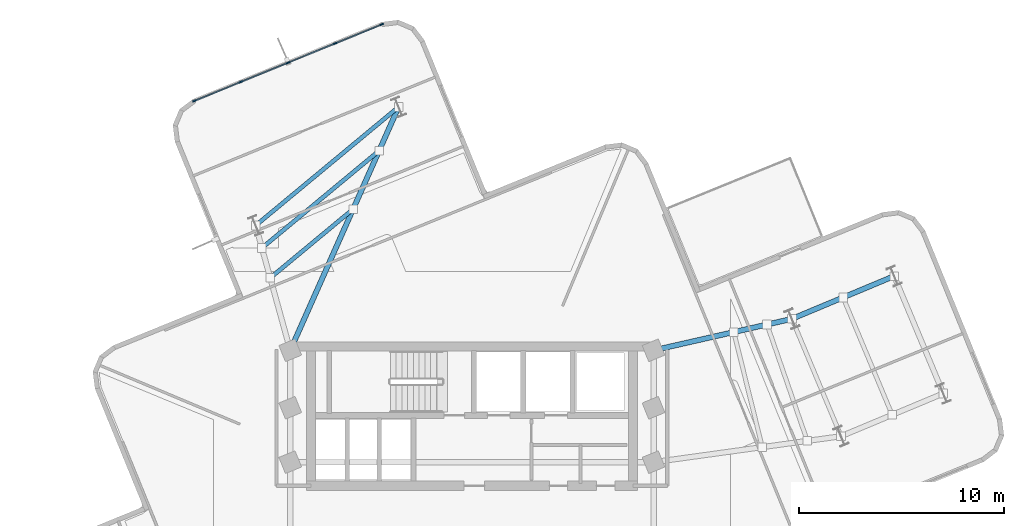
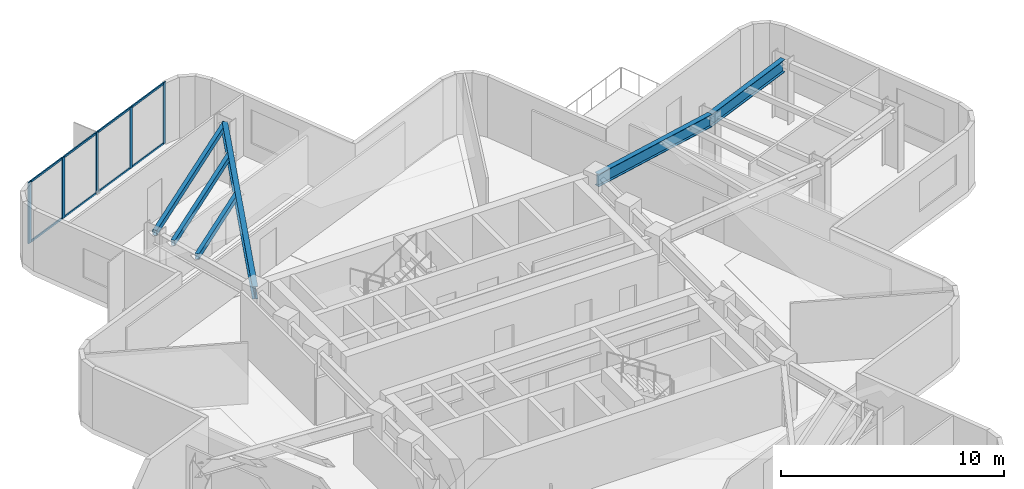
# One storey, part 4 of 11: 13 members, 6 beams, 1 element without a shape of its own.
"""IFC4 building model written with IfcOpenShell, lengths in metres."""

from ifc_helpers import new_model, si_unit, direction, frame, origin, origin_2d, place, context, subcontext, project, spatial, rectangle, hollow_rectangle, i_section, extrude, material, layer, layer_set, material_profile, profile_set, type_object, element, aggregate, save


model = new_model("IFC4")

# Units and contexts
model_context = context("Model", 3, precision=1e-05, world=origin(), true_north=direction((0.0, 1.0)))
body_context = subcontext(model_context, "Body", "Model", "MODEL_VIEW")
ifc_project = project(units=[si_unit("LENGTHUNIT", "METRE"), si_unit("AREAUNIT", "SQUARE_METRE"), si_unit("VOLUMEUNIT", "CUBIC_METRE"), si_unit("PLANEANGLEUNIT", "RADIAN"), si_unit("MASSUNIT", "GRAM", prefix="KILO")], contexts=[model_context])

# Site, building, storey
site_placement = place(None, origin())
site = spatial("IfcSite", under=ifc_project, at=site_placement, CompositionType="ELEMENT")
building_placement = place(site_placement, origin())
building = spatial("IfcBuilding", under=site, at=building_placement, Name="Solmarez Civic Tower", CompositionType="ELEMENT")
storey_placement = place(building_placement, frame((0.0, 0.0, 177.47998046875)))
storey = spatial("IfcBuildingStorey", under=building, at=storey_placement, Name="L47", CompositionType="ELEMENT", Elevation=177.47998046875)

# Beams
ifc_material_1 = material(Name="Steel S355", Category="steel")
ifc_material_profile_1 = material_profile(ifc_material_1, hollow_rectangle(XDim=0.199951171875, YDim=0.300048828125, WallThickness=0.011962890625, at=origin_2d()), Name="HSS300X200X12")
ifc_profile_set_1 = profile_set([ifc_material_profile_1], Name="Steel S355")
beam_type_1 = type_object("IfcBeamType", Name="BM-JS-HSS300X200", PredefinedType="JOIST", material=ifc_profile_set_1)
beam_1_placement = place(storey_placement, frame((-3.570068359375, 20.20703125, 3.18994140625), z_axis=(-0.769767664309, -0.638324167633, 0.0), x_axis=(0.638324167633, -0.769767664309, 0.0)))
element("IfcBeam", 1, at=beam_1_placement, inside=storey, type_object=beam_type_1, Name="L47 Secondary Floor Joist BM-L47-NA-T1", PredefinedType="JOIST", context=body_context, shape_type="SweptSolid", body=[
    extrude(hollow_rectangle(XDim=0.199951171875, YDim=0.300048828125, WallThickness=0.011962890625, at=origin_2d()), origin(), (0.0, 0.0, 1.0), 9.04541015625),
])
beam_2_placement = place(storey_placement, frame((-5.7880859375, 15.22705078125, 3.18994140625), z_axis=(-0.76969549019, -0.63841119381, 0.0), x_axis=(0.63841119381, -0.76969549019, 0.0)))
element("IfcBeam", 2, at=beam_2_placement, inside=storey, type_object=beam_type_1, Name="L47 Secondary Floor Joist JS-L47-NA-M11", PredefinedType="JOIST", context=body_context, shape_type="SweptSolid", body=[
    extrude(hollow_rectangle(XDim=0.199951171875, YDim=0.300048828125, WallThickness=0.011962890625, at=origin_2d()), origin(), (0.0, 0.0, 1.0), 5.24609375),
])
beam_3_placement = place(storey_placement, frame((-4.52001953125, 18.072998046875, 3.18994140625), z_axis=(-0.769756777075, -0.638337296535, 0.0), x_axis=(0.638337296535, -0.769756777075, 0.0)))
element("IfcBeam", 3, at=beam_3_placement, inside=storey, type_object=beam_type_1, Name="L47 Secondary Floor Joist JS-L47-NA-M12", PredefinedType="JOIST", context=body_context, shape_type="SweptSolid", body=[
    extrude(hollow_rectangle(XDim=0.199951171875, YDim=0.300048828125, WallThickness=0.011962890625, at=origin_2d()), origin(), (0.0, 0.0, 1.0), 7.41796875),
])
ifc_material_profile_2 = material_profile(ifc_material_1, i_section(OverallWidth=0.25390625, OverallDepth=0.68798828125, WebThickness=0.01318359375, FlangeThickness=0.02099609375, at=origin_2d()), Name="W27X102")
ifc_profile_set_2 = profile_set([ifc_material_profile_2], Name="Steel S355")
beam_type_2 = type_object("IfcBeamType", Name="BM-PR-W27X102", PredefinedType="BEAM", material=ifc_profile_set_2)
beam_4_placement = place(storey_placement, frame((8.85009765625, 8.35009765625, 2.99609375), z_axis=(0.975124879448, 0.221656196577, 0.0), x_axis=(-0.221656196577, 0.975124879448, 0.0)))
element("IfcBeam", 4, at=beam_4_placement, inside=storey, type_object=beam_type_2, Name="L47 Primary Floor Beam BM-L47-EA-R1B", PredefinedType="BEAM", context=body_context, shape_type="SweptSolid", body=[
    extrude(i_section(OverallWidth=0.25390625, OverallDepth=0.68798828125, WebThickness=0.01318359375, FlangeThickness=0.02099609375, at=origin_2d()), origin(), (0.0, 0.0, 1.0), 6.916015625),
])
beam_5_placement = place(storey_placement, frame((15.593994140625, 9.883056640625, 2.99609375), z_axis=(0.922538326171, 0.385905476438, 0.0), x_axis=(-0.385905476438, 0.922538326171, 0.0)))
element("IfcBeam", 5, at=beam_5_placement, inside=storey, type_object=beam_type_2, Name="L47 Primary Floor Beam BM-L47-EA-R2B", PredefinedType="BEAM", context=body_context, shape_type="SweptSolid", body=[
    extrude(i_section(OverallWidth=0.25390625, OverallDepth=0.68798828125, WebThickness=0.01318359375, FlangeThickness=0.02099609375, at=origin_2d()), origin(), (0.0, 0.0, 1.0), 5.400146484375),
])
beam_6_placement = place(storey_placement, frame((-8.85009765625, 8.35009765625, 2.99609375), z_axis=(0.406799805731, 0.9135173332, 0.0), x_axis=(-0.9135173332, 0.406799805731, 0.0)))
element("IfcBeam", 6, at=beam_6_placement, inside=storey, type_object=beam_type_2, Name="L47 Primary Floor Beam BM-L47-NA-R1A", PredefinedType="BEAM", context=body_context, shape_type="SweptSolid", body=[
    extrude(i_section(OverallWidth=0.25390625, OverallDepth=0.68798828125, WebThickness=0.01318359375, FlangeThickness=0.02099609375, at=origin_2d()), origin(), (0.0, 0.0, 1.0), 12.9794921875),
])

# Curtain wall, members
ifc_material_2 = material(Name="Bronze Anodised Aluminium EN AW-6063 T6", Category="aluminium")
ifc_layer = layer(ifc_material_2, 0.155029296875)
ifc_layer_set = layer_set([ifc_layer], Name="Bronze Anodised Aluminium EN AW-6063 T6")
curtain_wall_type = type_object("IfcCurtainWallType", Name="CW-SYS-6", PredefinedType="NOTDEFINED", material=ifc_layer_set)
curtain_wall_placement = place(storey_placement, origin())
curtain_wall = element("IfcCurtainWall", 7, at=curtain_wall_placement, inside=storey, type_object=curtain_wall_type, Name="L47 Stick-Built Curtain Wall 2", PredefinedType="NOTDEFINED")
ifc_material_profile_3 = material_profile(ifc_material_2, rectangle(XDim=0.070068359375, YDim=0.179931640625, at=origin_2d()), Name="CWM-70X180")
ifc_profile_set_3 = profile_set([ifc_material_profile_3], Name="Bronze Anodised Aluminium EN AW-6063 T6")
member_type_1 = type_object("IfcMemberType", Name="CWM-TYPE-2", PredefinedType="MULLION", material=ifc_profile_set_3)
member_1_placement = place(storey_placement, frame((-13.523681640625, 20.500244140625, 0.0), z_axis=(0.0, 0.0, 1.0), x_axis=(-0.377747405635, 0.925908687472, 0.0)))
member_1 = element("IfcMember", 8, at=member_1_placement, type_object=member_type_1, Name="CWS6 mullion 1", PredefinedType="MULLION", context=body_context, shape_type="SweptSolid", body=[
    extrude(rectangle(XDim=0.070068359375, YDim=0.179931640625, at=origin_2d()), origin(), (0.0, 0.0, 1.0), 3.340087890625),
])
member_2_placement = place(storey_placement, frame((-11.2548828125, 21.42578125, 0.0), z_axis=(0.0, 0.0, 1.0), x_axis=(-0.377747405635, 0.925908687472, 0.0)))
member_2 = element("IfcMember", 9, at=member_2_placement, type_object=member_type_1, Name="CWS6 mullion 2", PredefinedType="MULLION", context=body_context, shape_type="SweptSolid", body=[
    extrude(rectangle(XDim=0.070068359375, YDim=0.179931640625, at=origin_2d()), origin(), (0.0, 0.0, 1.0), 3.340087890625),
])
member_3_placement = place(storey_placement, frame((-8.9541015625, 22.364501953125, 0.0), z_axis=(0.0, 0.0, 1.0), x_axis=(-0.377747405635, 0.925908687472, 0.0)))
member_3 = element("IfcMember", 10, at=member_3_placement, type_object=member_type_1, Name="CWS6 mullion 3", PredefinedType="MULLION", context=body_context, shape_type="SweptSolid", body=[
    extrude(rectangle(XDim=0.070068359375, YDim=0.179931640625, at=origin_2d()), origin(), (0.0, 0.0, 1.0), 3.340087890625),
])
member_4_placement = place(storey_placement, frame((-6.653076171875, 23.30322265625, 0.0), z_axis=(0.0, 0.0, 1.0), x_axis=(-0.377747405635, 0.925908687472, 0.0)))
member_4 = element("IfcMember", 11, at=member_4_placement, type_object=member_type_1, Name="CWS6 mullion 4", PredefinedType="MULLION", context=body_context, shape_type="SweptSolid", body=[
    extrude(rectangle(XDim=0.070068359375, YDim=0.179931640625, at=origin_2d()), origin(), (0.0, 0.0, 1.0), 3.340087890625),
])
member_5_placement = place(storey_placement, frame((-4.384521484375, 24.228759765625, 0.0), z_axis=(0.0, 0.0, 1.0), x_axis=(-0.377747405635, 0.925908687472, 0.0)))
member_5 = element("IfcMember", 12, at=member_5_placement, type_object=member_type_1, Name="CWS6 mullion 5", PredefinedType="MULLION", context=body_context, shape_type="SweptSolid", body=[
    extrude(rectangle(XDim=0.070068359375, YDim=0.179931640625, at=origin_2d()), origin(), (0.0, 0.0, 1.0), 3.340087890625),
])
ifc_material_profile_4 = material_profile(ifc_material_2, rectangle(XDim=0.06005859375, YDim=0.110107421875, at=origin_2d()), Name="CWT-60X110")
ifc_profile_set_4 = profile_set([ifc_material_profile_4], Name="Bronze Anodised Aluminium EN AW-6063 T6")
member_type_2 = type_object("IfcMemberType", Name="CWT-TYPE-3", PredefinedType="USERDEFINED", material=ifc_profile_set_4)
member_6_placement = place(storey_placement, frame((-13.4912109375, 20.513427734375, 0.030029296875), z_axis=(0.925901098362, 0.377766007009, 0.0), x_axis=(-0.377766007009, 0.925901098362, 0.0)))
member_6 = element("IfcMember", 13, at=member_6_placement, type_object=member_type_2, Name="CWS6 transom 1.1", ObjectType="TRANSOM", PredefinedType="USERDEFINED", context=body_context, shape_type="SweptSolid", body=[
    extrude(rectangle(XDim=0.06005859375, YDim=0.110107421875, at=origin_2d()), origin(), (0.0, 0.0, 1.0), 2.380126953125),
])
member_7_placement = place(storey_placement, frame((-13.4912109375, 20.513427734375, 3.31005859375), z_axis=(0.925901098362, 0.377766007009, 0.0), x_axis=(-0.377766007009, 0.925901098362, 0.0)))
member_7 = element("IfcMember", 14, at=member_7_placement, type_object=member_type_2, Name="CWS6 transom 1.2", ObjectType="TRANSOM", PredefinedType="USERDEFINED", context=body_context, shape_type="SweptSolid", body=[
    extrude(rectangle(XDim=0.06005859375, YDim=0.110107421875, at=origin_2d()), origin(), (0.0, 0.0, 1.0), 2.380126953125),
])
member_8_placement = place(storey_placement, frame((-11.22265625, 21.43896484375, 0.030029296875), z_axis=(0.925910423683, 0.377743149924, 0.0), x_axis=(-0.377743149924, 0.925910423683, 0.0)))
member_8 = element("IfcMember", 15, at=member_8_placement, type_object=member_type_2, Name="CWS6 transom 2.1", ObjectType="TRANSOM", PredefinedType="USERDEFINED", context=body_context, shape_type="SweptSolid", body=[
    extrude(rectangle(XDim=0.06005859375, YDim=0.110107421875, at=origin_2d()), origin(), (0.0, 0.0, 1.0), 2.415283203125),
])
member_9_placement = place(storey_placement, frame((-11.22265625, 21.43896484375, 3.31005859375), z_axis=(0.925910423683, 0.377743149924, 0.0), x_axis=(-0.377743149924, 0.925910423683, 0.0)))
member_9 = element("IfcMember", 16, at=member_9_placement, type_object=member_type_2, Name="CWS6 transom 2.2", ObjectType="TRANSOM", PredefinedType="USERDEFINED", context=body_context, shape_type="SweptSolid", body=[
    extrude(rectangle(XDim=0.06005859375, YDim=0.110107421875, at=origin_2d()), origin(), (0.0, 0.0, 1.0), 2.415283203125),
])
member_10_placement = place(storey_placement, frame((-8.921630859375, 22.377685546875, 0.030029296875), z_axis=(0.925910423683, 0.377743149924, 0.0), x_axis=(-0.377743149924, 0.925910423683, 0.0)))
member_10 = element("IfcMember", 17, at=member_10_placement, type_object=member_type_2, Name="CWS6 transom 3.1", ObjectType="TRANSOM", PredefinedType="USERDEFINED", context=body_context, shape_type="SweptSolid", body=[
    extrude(rectangle(XDim=0.06005859375, YDim=0.110107421875, at=origin_2d()), origin(), (0.0, 0.0, 1.0), 2.415283203125),
])
member_11_placement = place(storey_placement, frame((-8.921630859375, 22.377685546875, 3.31005859375), z_axis=(0.925910423683, 0.377743149924, 0.0), x_axis=(-0.377743149924, 0.925910423683, 0.0)))
member_11 = element("IfcMember", 18, at=member_11_placement, type_object=member_type_2, Name="CWS6 transom 3.2", ObjectType="TRANSOM", PredefinedType="USERDEFINED", context=body_context, shape_type="SweptSolid", body=[
    extrude(rectangle(XDim=0.06005859375, YDim=0.110107421875, at=origin_2d()), origin(), (0.0, 0.0, 1.0), 2.415283203125),
])
member_12_placement = place(storey_placement, frame((-6.62060546875, 23.31640625, 0.030029296875), z_axis=(0.925901098362, 0.377766007009, 0.0), x_axis=(-0.377766007009, 0.925901098362, 0.0)))
member_12 = element("IfcMember", 19, at=member_12_placement, type_object=member_type_2, Name="CWS6 transom 4.1", ObjectType="TRANSOM", PredefinedType="USERDEFINED", context=body_context, shape_type="SweptSolid", body=[
    extrude(rectangle(XDim=0.06005859375, YDim=0.110107421875, at=origin_2d()), origin(), (0.0, 0.0, 1.0), 2.380126953125),
])
member_13_placement = place(storey_placement, frame((-6.62060546875, 23.31640625, 3.31005859375), z_axis=(0.925901098362, 0.377766007009, 0.0), x_axis=(-0.377766007009, 0.925901098362, 0.0)))
member_13 = element("IfcMember", 20, at=member_13_placement, type_object=member_type_2, Name="CWS6 transom 4.2", ObjectType="TRANSOM", PredefinedType="USERDEFINED", context=body_context, shape_type="SweptSolid", body=[
    extrude(rectangle(XDim=0.06005859375, YDim=0.110107421875, at=origin_2d()), origin(), (0.0, 0.0, 1.0), 2.380126953125),
])
aggregate(curtain_wall, [member_1, member_2, member_3, member_4, member_5, member_6, member_7, member_8, member_9, member_10, member_11, member_12, member_13])

save(model, "model.ifc")
